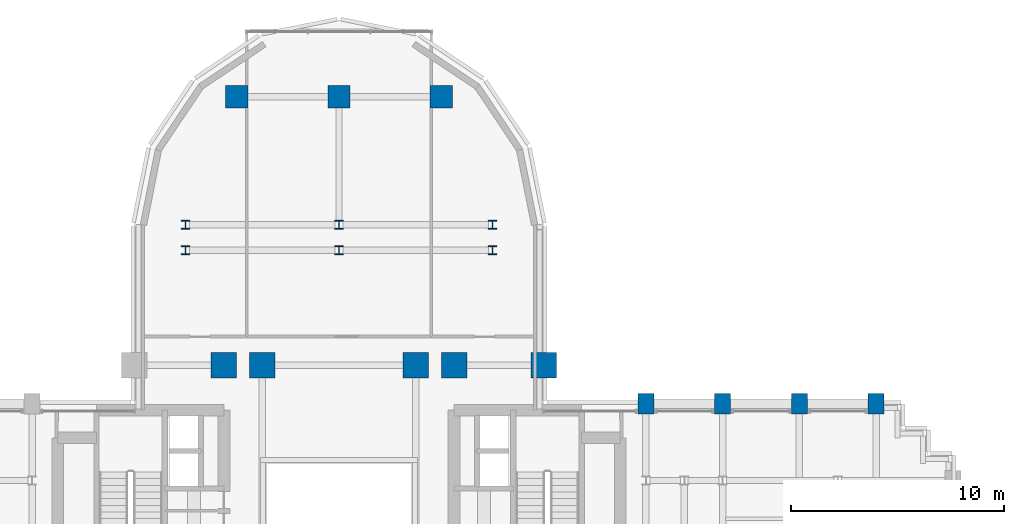
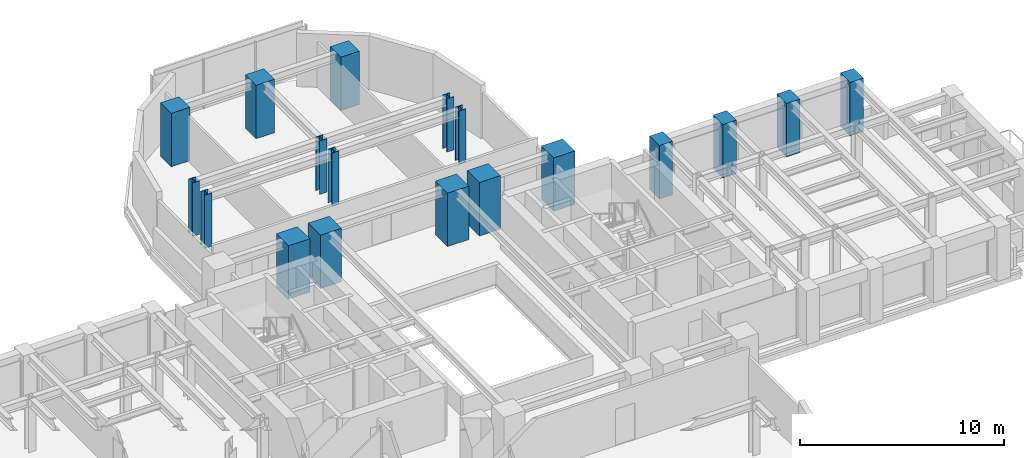
# One storey, part 2 of 15: 18 columns.
"""IFC4 building model written with IfcOpenShell, lengths in metres."""

from ifc_helpers import new_model, si_unit, direction, frame, origin, origin_2d, place, context, subcontext, project, spatial, rectangle, i_section, extrude, source, transform, mapped, material, material_profile, profile_set, type_object, element, save


model = new_model("IFC4")

# Units and contexts
model_context = context("Model", 3, precision=1e-05, world=origin(), true_north=direction((0.0, 1.0)))
body_context = subcontext(model_context, "Body", "Model", "MODEL_VIEW")
ifc_project = project(units=[si_unit("LENGTHUNIT", "METRE"), si_unit("AREAUNIT", "SQUARE_METRE"), si_unit("VOLUMEUNIT", "CUBIC_METRE"), si_unit("PLANEANGLEUNIT", "RADIAN"), si_unit("MASSUNIT", "GRAM", prefix="KILO")], contexts=[model_context])

# Site, building, storey
site_placement = place(None, origin())
site = spatial("IfcSite", under=ifc_project, at=site_placement, CompositionType="ELEMENT")
building_placement = place(site_placement, origin())
building = spatial("IfcBuilding", under=site, at=building_placement, Name="Keilestroom Media Tower", CompositionType="ELEMENT")
storey_placement = place(building_placement, frame((0.0, 0.0, 47.60009765625)))
storey = spatial("IfcBuildingStorey", under=building, at=storey_placement, Name="L11", CompositionType="ELEMENT", Elevation=47.60009765625)

# Columns
ifc_material_1 = material(Name="Precast concrete C40/50", Category="concrete")
ifc_material_profile_1 = material_profile(ifc_material_1, rectangle(XDim=0.75, YDim=0.949951171875, at=origin_2d()), Name="PC 950x750")
ifc_profile_set_1 = profile_set([ifc_material_profile_1], Name="Precast concrete C40/50")
column_type_1 = type_object("IfcColumnType", Name="Structural-Column-PC-950x750", PredefinedType="COLUMN", material=ifc_profile_set_1)
shared_shape_1 = source(origin(), body_context, "Body", "SweptSolid", [
    extrude(rectangle(XDim=0.75, YDim=0.949951171875, at=origin_2d()), origin(), (0.0, 0.0, 1.0), 3.199951171875),
])
for number, where, z_axis, x_axis, name in (
    (1, (14.39990234375, 7.199951171875, 0.0), (0.0, 0.0, 1.0), (1.0, 0.0, 0.0), "L11 Column PC-1 (+14.4,+7.2)"),
    (2, (18.0, 7.199951171875, 0.0), (0.0, 0.0, 1.0), (1.0, 0.0, 0.0), "L11 Column PC-1 (+18.0,+7.2)"),
    (3, (21.60009765625, 7.199951171875, 0.0), (0.0, 0.0, 1.0), (1.0, 0.0, 0.0), "L11 Column PC-1 (+21.6,+7.2)"),
    (4, (25.199951171875, 7.199951171875, 0.0), (0.0, 0.0, 1.0), (1.0, 0.0, 0.0), "L11 Column PC-1 (+25.2,+7.2)"),
):
    element("IfcColumn", number, at=place(storey_placement, frame(where, z_axis=z_axis, x_axis=x_axis)), inside=storey, type_object=column_type_1, Name=name, PredefinedType="COLUMN", context=body_context, shape_type="MappedRepresentation", body=[
        mapped(shared_shape_1, transform((0.0, 0.0, 0.0), x_axis=(1.0, 0.0, 0.0), y_axis=(0.0, 1.0, 0.0), z_axis=(0.0, 0.0, 1.0), scale=1.0)),
    ])
ifc_material_2 = material(Name="Steel S460", Category="steel")
ifc_material_profile_2 = material_profile(ifc_material_2, i_section(OverallWidth=0.404052734375, OverallDepth=0.406982421875, WebThickness=0.02197265625, FlangeThickness=0.035400390625, at=origin_2d()), Name="HD 400x347")
ifc_profile_set_2 = profile_set([ifc_material_profile_2], Name="Steel S460")
column_type_2 = type_object("IfcColumnType", Name="Structural-Column-HD-400x347", PredefinedType="COLUMN", material=ifc_profile_set_2)
shared_shape_2 = source(origin(), body_context, "Body", "SweptSolid", [
    extrude(i_section(OverallWidth=0.404052734375, OverallDepth=0.406982421875, WebThickness=0.02197265625, FlangeThickness=0.035400390625, at=origin_2d()), origin(), (0.0, 0.0, 1.0), 3.199951171875),
])
for number, where, z_axis, x_axis, name in (
    (5, (-7.199951171875, 14.39990234375, 0.0), (0.0, 0.0, 1.0), (1.0, 0.0, 0.0), "L11 Column SC-2 (-7.2,+14.4)"),
    (6, (-7.199951171875, 15.60009765625, 0.0), (0.0, 0.0, 1.0), (1.0, 0.0, 0.0), "L11 Column SC-2 (-7.2,+15.6)"),
    (7, (0.0, 14.39990234375, 0.0), (0.0, 0.0, 1.0), (1.0, 0.0, 0.0), "L11 Column SC-2 (+0.0,+14.4)"),
    (8, (0.0, 15.60009765625, 0.0), (0.0, 0.0, 1.0), (1.0, 0.0, 0.0), "L11 Column SC-2 (+0.0,+15.6)"),
    (9, (7.199951171875, 14.39990234375, 0.0), (0.0, 0.0, 1.0), (1.0, 0.0, 0.0), "L11 Column SC-2 (+7.2,+14.4)"),
    (10, (7.199951171875, 15.60009765625, 0.0), (0.0, 0.0, 1.0), (1.0, 0.0, 0.0), "L11 Column SC-2 (+7.2,+15.6)"),
):
    element("IfcColumn", number, at=place(storey_placement, frame(where, z_axis=z_axis, x_axis=x_axis)), inside=storey, type_object=column_type_2, Name=name, PredefinedType="COLUMN", context=body_context, shape_type="MappedRepresentation", body=[
        mapped(shared_shape_2, transform((0.0, 0.0, 0.0), x_axis=(1.0, 0.0, 0.0), y_axis=(0.0, 1.0, 0.0), z_axis=(0.0, 0.0, 1.0), scale=1.0)),
    ])
ifc_material_3 = material(Name="Concrete C70/85", Category="concrete")
ifc_material_profile_3 = material_profile(ifc_material_3, rectangle(XDim=1.199951171875, YDim=1.199951171875, at=origin_2d()), Name="RC 1200x1200")
ifc_profile_set_3 = profile_set([ifc_material_profile_3], Name="Concrete C70/85")
column_type_3 = type_object("IfcColumnType", Name="Structural-Column-RC-1200x1200", PredefinedType="COLUMN", material=ifc_profile_set_3)
shared_shape_3 = source(origin(), body_context, "Body", "SweptSolid", [
    extrude(rectangle(XDim=1.199951171875, YDim=1.199951171875, at=origin_2d()), origin(), (0.0, 0.0, 1.0), 3.199951171875),
])
for number, where, z_axis, x_axis, name in (
    (11, (-5.39990234375, 9.0, 0.0), (0.0, 0.0, 1.0), (1.0, 0.0, 0.0), "L11 Column MC-2 (-5.4,+9.0)"),
    (12, (-3.60009765625, 9.0, 0.0), (0.0, 0.0, 1.0), (1.0, 0.0, 0.0), "L11 Column MC-2 (-3.6,+9.0)"),
    (13, (3.60009765625, 9.0, 0.0), (0.0, 0.0, 1.0), (1.0, 0.0, 0.0), "L11 Column MC-2 (+3.6,+9.0)"),
    (14, (5.39990234375, 9.0, 0.0), (0.0, 0.0, 1.0), (1.0, 0.0, 0.0), "L11 Column MC-2 (+5.4,+9.0)"),
    (15, (9.60009765625, 9.0, 0.0), (0.0, 0.0, 1.0), (1.0, 0.0, 0.0), "L11 Column MC-2 (+9.6,+9.0)"),
):
    element("IfcColumn", number, at=place(storey_placement, frame(where, z_axis=z_axis, x_axis=x_axis)), inside=storey, type_object=column_type_3, Name=name, PredefinedType="COLUMN", context=body_context, shape_type="MappedRepresentation", body=[
        mapped(shared_shape_3, transform((0.0, 0.0, 0.0), x_axis=(1.0, 0.0, 0.0), y_axis=(0.0, 1.0, 0.0), z_axis=(0.0, 0.0, 1.0), scale=1.0)),
    ])
ifc_material_4 = material(Name="Concrete C55/67", Category="concrete")
ifc_material_profile_4 = material_profile(ifc_material_4, rectangle(XDim=1.050048828125, YDim=1.050048828125, at=origin_2d()), Name="RC 1050x1050")
ifc_profile_set_4 = profile_set([ifc_material_profile_4], Name="Concrete C55/67")
column_type_4 = type_object("IfcColumnType", Name="Structural-Column-RC-1050x1050", PredefinedType="COLUMN", material=ifc_profile_set_4)
shared_shape_4 = source(origin(), body_context, "Body", "SweptSolid", [
    extrude(rectangle(XDim=1.050048828125, YDim=1.050048828125, at=origin_2d()), origin(), (0.0, 0.0, 1.0), 3.199951171875),
])
for number, where, z_axis, x_axis, name in (
    (16, (-4.800048828125, 21.60009765625, 0.0), (0.0, 0.0, 1.0), (1.0, 0.0, 0.0), "L11 Column MC-3 (-4.8,+21.6)"),
    (17, (0.0, 21.60009765625, 0.0), (0.0, 0.0, 1.0), (1.0, 0.0, 0.0), "L11 Column MC-3 (+0.0,+21.6)"),
    (18, (4.800048828125, 21.60009765625, 0.0), (0.0, 0.0, 1.0), (1.0, 0.0, 0.0), "L11 Column MC-3 (+4.8,+21.6)"),
):
    element("IfcColumn", number, at=place(storey_placement, frame(where, z_axis=z_axis, x_axis=x_axis)), inside=storey, type_object=column_type_4, Name=name, PredefinedType="COLUMN", context=body_context, shape_type="MappedRepresentation", body=[
        mapped(shared_shape_4, transform((0.0, 0.0, 0.0), x_axis=(1.0, 0.0, 0.0), y_axis=(0.0, 1.0, 0.0), z_axis=(0.0, 0.0, 1.0), scale=1.0)),
    ])

save(model, "model.ifc")
